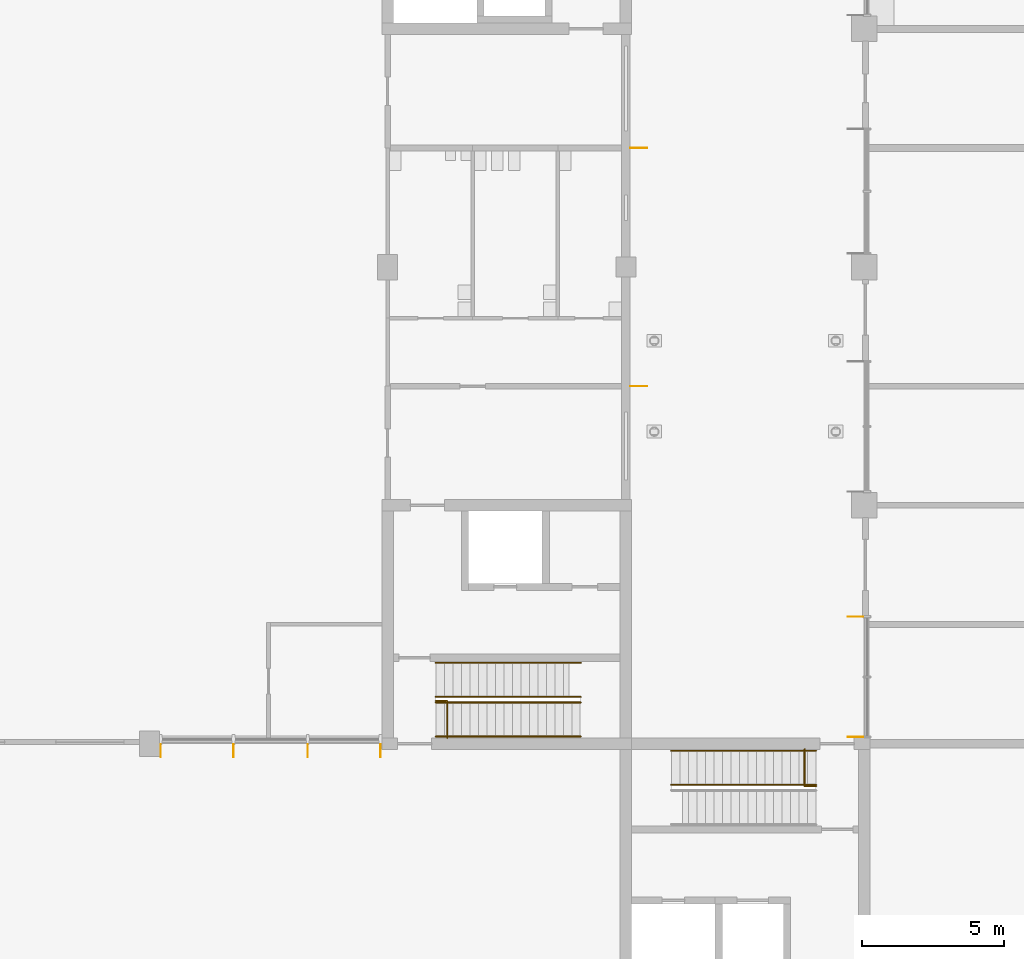
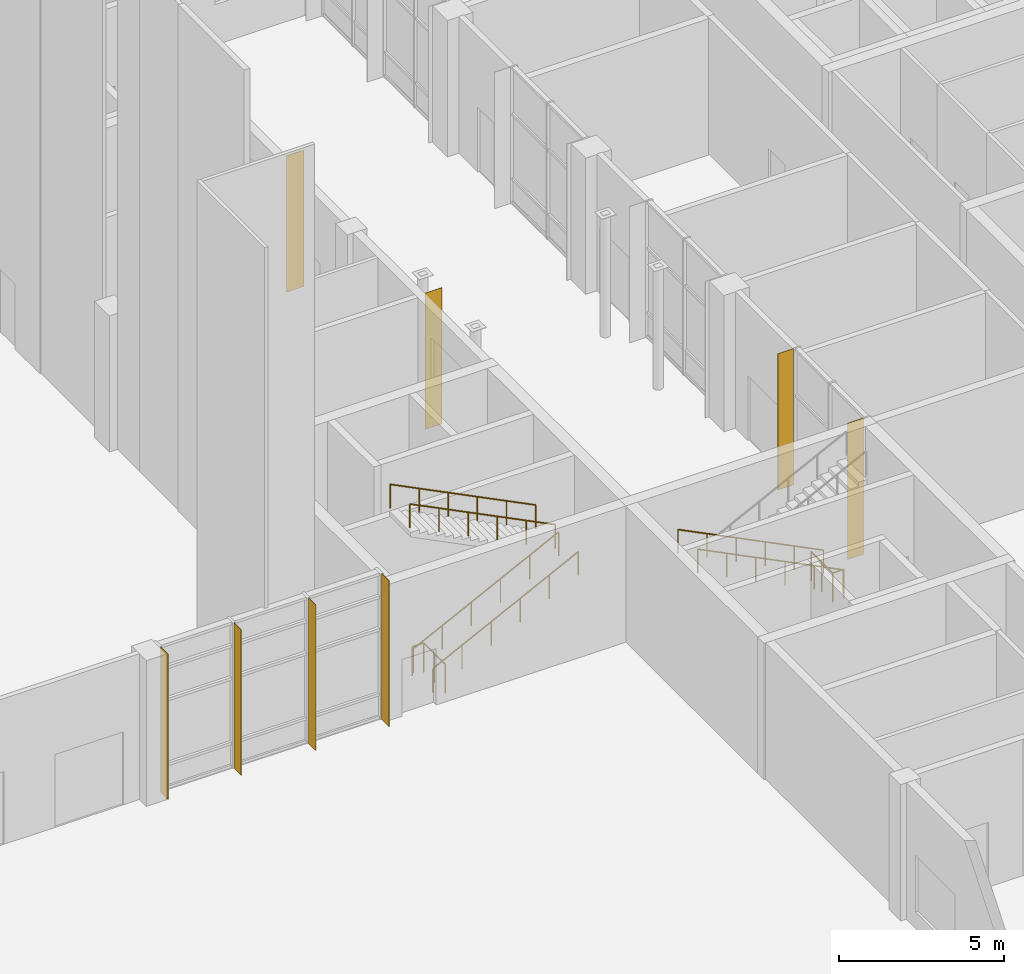
# One storey, part 64 of 76: 8 railings, 8 shading devices.
"""IFC4 building model written with IfcOpenShell, lengths in metres."""

from ifc_helpers import new_model, si_unit, direction, frame, origin, origin_2d, place, context, subcontext, project, spatial, rectangle, circle, extrude, material, layer, layer_set, type_object, element, save


model = new_model("IFC4")

# Units and contexts
model_context = context("Model", 3, precision=1e-05, world=origin(), true_north=direction((0.0, 1.0)))
body_context = subcontext(model_context, "Body", "Model", "MODEL_VIEW")
ifc_project = project(units=[si_unit("LENGTHUNIT", "METRE"), si_unit("AREAUNIT", "SQUARE_METRE"), si_unit("VOLUMEUNIT", "CUBIC_METRE"), si_unit("PLANEANGLEUNIT", "RADIAN"), si_unit("MASSUNIT", "GRAM", prefix="KILO")], contexts=[model_context])

# Site, building, storey
site_placement = place(None, origin())
site = spatial("IfcSite", under=ifc_project, at=site_placement, CompositionType="ELEMENT")
building_placement = place(site_placement, origin())
building = spatial("IfcBuilding", under=site, at=building_placement, Name="Hlaing Beacon Police Headquarters", CompositionType="ELEMENT")
storey_placement = place(building_placement, origin())
storey = spatial("IfcBuildingStorey", under=building, at=storey_placement, Name="L00", CompositionType="ELEMENT", Elevation=0.0)

# Shading devices
ifc_material_1 = material(Name="Aluminium 6063-T5 anodised", Category="aluminium")
ifc_layer_1 = layer(ifc_material_1, 0.011962890625)
ifc_layer_set_1 = layer_set([ifc_layer_1], Name="Aluminium 6063-T5 anodised")
shading_device_type_1 = type_object("IfcShadingDeviceType", Name="Aluminium fin 12x450", PredefinedType="JALOUSIE", material=ifc_layer_set_1)
for number, where, z_axis, x_axis, name in (
    (1, (76.0, 33.35009765625, 0.0), (0.0, 0.0, 1.0), (1.0, 0.0, 0.0), "Fin L00 S022.0"),
    (2, (78.566650390625, 33.35009765625, 0.0), (0.0, 0.0, 1.0), (1.0, 0.0, 0.0), "Fin L00 S022.1"),
    (3, (81.183349609375, 33.35009765625, 0.0), (0.0, 0.0, 1.0), (1.0, 0.0, 0.0), "Fin L00 S022.2"),
    (4, (83.75, 33.35009765625, 0.0), (0.0, 0.0, 1.0), (1.0, 0.0, 0.0), "Fin L00 S022.3"),
):
    element("IfcShadingDevice", number, at=place(storey_placement, frame(where, z_axis=z_axis, x_axis=x_axis)), inside=storey, type_object=shading_device_type_1, Name=name, PredefinedType="JALOUSIE", context=body_context, shape_type="SweptSolid", body=[
        extrude(rectangle(XDim=0.011962890625, YDim=0.449951171875, at=origin_2d()), origin(), (0.0, 0.0, 1.0), 5.39990234375),
    ])
ifc_material_2 = material(Name="Aluminium 6063-T5 anodised", Category="aluminium")
ifc_layer_2 = layer(ifc_material_2, 0.011962890625)
ifc_layer_set_2 = layer_set([ifc_layer_2], Name="Aluminium 6063-T5 anodised")
shading_device_type_2 = type_object("IfcShadingDeviceType", Name="Aluminium fin 12x550", PredefinedType="JALOUSIE", material=ifc_layer_set_2)
for number, where, z_axis, x_axis, name in (
    (5, (100.5, 38.070068359375, 0.0), (0.0, 0.0, 1.0), (0.0, -1.0, 0.0), "Fin L00 W019.0"),
    (6, (100.5, 33.830078125, 0.0), (0.0, 0.0, 1.0), (0.0, -1.0, 0.0), "Fin L00 W019.2"),
):
    element("IfcShadingDevice", number, at=place(storey_placement, frame(where, z_axis=z_axis, x_axis=x_axis)), inside=storey, type_object=shading_device_type_2, Name=name, PredefinedType="JALOUSIE", context=body_context, shape_type="SweptSolid", body=[
        extrude(rectangle(XDim=0.011962890625, YDim=0.550048828125, at=origin_2d()), origin(), (0.0, 0.0, 1.0), 5.050048828125),
    ])
ifc_material_3 = material(Name="Aluminium 6063-T5 anodised", Category="aluminium")
ifc_layer_3 = layer(ifc_material_3, 0.011962890625)
ifc_layer_set_3 = layer_set([ifc_layer_3], Name="Aluminium 6063-T5 anodised")
shading_device_type_3 = type_object("IfcShadingDeviceType", Name="Aluminium fin 12x600", PredefinedType="JALOUSIE", material=ifc_layer_set_3)
for number, where, z_axis, x_axis, name in (
    (7, (92.85009765625, 46.199951171875, 0.0), (0.0, 0.0, 1.0), (0.0, 1.0, 0.0), "Fin L00 E008"),
    (8, (92.85009765625, 54.60009765625, 0.0), (0.0, 0.0, 1.0), (0.0, 1.0, 0.0), "Fin L00 E009"),
):
    element("IfcShadingDevice", number, at=place(storey_placement, frame(where, z_axis=z_axis, x_axis=x_axis)), inside=storey, type_object=shading_device_type_3, Name=name, PredefinedType="JALOUSIE", context=body_context, shape_type="SweptSolid", body=[
        extrude(rectangle(XDim=0.011962890625, YDim=0.60009765625, at=origin_2d()), origin(), (0.0, 0.0, 1.0), 5.050048828125),
    ])

# Railings
ifc_material_4 = material(Name="Stainless steel", Category="steel")
railing_type_1 = type_object("IfcRailingType", Name="Stair guard 1100", PredefinedType="GUARDRAIL", material=ifc_material_4)
railing_1_placement = place(storey_placement, frame((86.10009765625, 33.800048828125, 0.0)))
element("IfcRailing", 9, at=railing_1_placement, inside=storey, type_object=railing_type_1, Name="Guard ST-C", PredefinedType="GUARDRAIL", context=body_context, shape_type="SweptSolid", body=[
    extrude(circle(Radius=0.02392578125, at=origin_2d()), frame((0.0, 0.0, 1.076171875), z_axis=(0.0, 1.0, 0.0), x_axis=(-1.0, 0.0, 0.0)), (0.0, 0.0, 1.0), 1.300048828125),
    extrude(circle(Radius=0.02392578125, at=origin_2d()), frame((0.0, 1.300048828125, 1.076171875), z_axis=(-1.0, 0.0, 0.0), x_axis=(0.0, -1.0, 0.0)), (0.0, 0.0, 1.0), 0.400146484375),
    extrude(circle(Radius=0.02099609375, at=origin_2d()), origin(), (0.0, 0.0, 1.0), 1.052001953125),
    extrude(circle(Radius=0.02099609375, at=origin_2d()), frame((0.0, 0.64990234375, 0.0)), (0.0, 0.0, 1.0), 1.052001953125),
    extrude(circle(Radius=0.02099609375, at=origin_2d()), frame((0.0, 1.300048828125, 0.0)), (0.0, 0.0, 1.0), 1.052001953125),
    extrude(circle(Radius=0.02099609375, at=origin_2d()), frame((-0.400146484375, 1.300048828125, 0.0)), (0.0, 0.0, 1.0), 1.052001953125),
])
railing_2_placement = place(storey_placement, frame((98.699951171875, 33.39990234375, 0.0)))
element("IfcRailing", 10, at=railing_2_placement, inside=storey, type_object=railing_type_1, Name="Guard ST-G", PredefinedType="GUARDRAIL", context=body_context, shape_type="SweptSolid", body=[
    extrude(circle(Radius=0.02392578125, at=origin_2d()), frame((0.0, 0.0, 1.076171875), z_axis=(0.0, -1.0, 0.0), x_axis=(1.0, 0.0, 0.0)), (0.0, 0.0, 1.0), 1.2998046875),
    extrude(circle(Radius=0.02392578125, at=origin_2d()), frame((0.0, -1.2998046875, 1.076171875), z_axis=(1.0, 0.0, 0.0), x_axis=(0.0, 1.0, 0.0)), (0.0, 0.0, 1.0), 0.400146484375),
    extrude(circle(Radius=0.02099609375, at=origin_2d()), origin(), (0.0, 0.0, 1.0), 1.052001953125),
    extrude(circle(Radius=0.02099609375, at=origin_2d()), frame((0.0, -0.64990234375, 0.0)), (0.0, 0.0, 1.0), 1.052001953125),
    extrude(circle(Radius=0.02099609375, at=origin_2d()), frame((0.0, -1.2998046875, 0.0)), (0.0, 0.0, 1.0), 1.052001953125),
    extrude(circle(Radius=0.02099609375, at=origin_2d()), frame((0.400146484375, -1.2998046875, 0.0)), (0.0, 0.0, 1.0), 1.052001953125),
])
ifc_material_5 = material(Name="Stainless steel", Category="steel")
railing_type_2 = type_object("IfcRailingType", Name="Stair handrail 900", PredefinedType="HANDRAIL", material=ifc_material_5)
for number, where, name in (
    (11, (85.699951171875, 33.85009765625, 0.14990234375), "Handrail ST-C"),
    (12, (85.699951171875, 35.050048828125, 0.14990234375), "Handrail ST-C"),
):
    element("IfcRailing", number, at=place(storey_placement, frame(where)), inside=storey, type_object=railing_type_2, Name=name, PredefinedType="HANDRAIL", context=body_context, shape_type="SweptSolid", body=[
        extrude(circle(Radius=0.02392578125, at=origin_2d()), frame((0.0, 0.0, 0.8759765625), z_axis=(0.894427191, 0.0, 0.4472135955), x_axis=(0.0, 1.0, 0.0)), (0.0, 0.0, 1.0), 5.7021484375),
        extrude(circle(Radius=0.02099609375, at=origin_2d()), origin(), (0.0, 0.0, 1.0), 0.851806640625),
        extrude(circle(Radius=0.02099609375, at=origin_2d()), frame((1.02001953125, 0.0, 0.510009765625)), (0.0, 0.0, 1.0), 0.851806640625),
        extrude(circle(Radius=0.02099609375, at=origin_2d()), frame((2.0400390625, 0.0, 1.02001953125)), (0.0, 0.0, 1.0), 0.851806640625),
        extrude(circle(Radius=0.02099609375, at=origin_2d()), frame((3.06005859375, 0.0, 1.530029296875)), (0.0, 0.0, 1.0), 0.851806640625),
        extrude(circle(Radius=0.02099609375, at=origin_2d()), frame((4.080078125, 0.0, 2.0400390625)), (0.0, 0.0, 1.0), 0.851806640625),
        extrude(circle(Radius=0.02099609375, at=origin_2d()), frame((5.10009765625, 0.0, 2.550048828125)), (0.0, 0.0, 1.0), 0.851806640625),
    ])
for number, where, name in (
    (13, (90.800048828125, 35.25, 2.85009765625), "Handrail ST-C"),
    (14, (90.800048828125, 36.449951171875, 2.85009765625), "Handrail ST-C"),
):
    element("IfcRailing", number, at=place(storey_placement, frame(where)), inside=storey, type_object=railing_type_2, Name=name, PredefinedType="HANDRAIL", context=body_context, shape_type="SweptSolid", body=[
        extrude(circle(Radius=0.02392578125, at=origin_2d()), frame((0.0, 0.0, 0.8759765625), z_axis=(-0.89444431709, 0.0, 0.44717934168), x_axis=(0.0, -1.0, 0.0)), (0.0, 0.0, 1.0), 5.701904296875),
        extrude(circle(Radius=0.02099609375, at=origin_2d()), origin(), (0.0, 0.0, 1.0), 0.851806640625),
        extrude(circle(Radius=0.02099609375, at=origin_2d()), frame((-1.02001953125, 0.0, 0.510009765625)), (0.0, 0.0, 1.0), 0.851806640625),
        extrude(circle(Radius=0.02099609375, at=origin_2d()), frame((-2.0400390625, 0.0, 1.02001953125)), (0.0, 0.0, 1.0), 0.851806640625),
        extrude(circle(Radius=0.02099609375, at=origin_2d()), frame((-3.06005859375, 0.0, 1.52978515625)), (0.0, 0.0, 1.0), 0.851806640625),
        extrude(circle(Radius=0.02099609375, at=origin_2d()), frame((-4.080078125, 0.0, 2.039794921875)), (0.0, 0.0, 1.0), 0.851806640625),
        extrude(circle(Radius=0.02099609375, at=origin_2d()), frame((-5.10009765625, 0.0, 2.5498046875)), (0.0, 0.0, 1.0), 0.851806640625),
    ])
for number, where, name in (
    (15, (99.10009765625, 33.35009765625, 0.14990234375), "Handrail ST-G"),
    (16, (99.10009765625, 32.14990234375, 0.14990234375), "Handrail ST-G"),
):
    element("IfcRailing", number, at=place(storey_placement, frame(where)), inside=storey, type_object=railing_type_2, Name=name, PredefinedType="HANDRAIL", context=body_context, shape_type="SweptSolid", body=[
        extrude(circle(Radius=0.02392578125, at=origin_2d()), frame((0.0, 0.0, 0.8759765625), z_axis=(-0.894427191, 0.0, 0.4472135955), x_axis=(0.0, -1.0, 0.0)), (0.0, 0.0, 1.0), 5.7021484375),
        extrude(circle(Radius=0.02099609375, at=origin_2d()), origin(), (0.0, 0.0, 1.0), 0.851806640625),
        extrude(circle(Radius=0.02099609375, at=origin_2d()), frame((-1.02001953125, 0.0, 0.510009765625)), (0.0, 0.0, 1.0), 0.851806640625),
        extrude(circle(Radius=0.02099609375, at=origin_2d()), frame((-2.0400390625, 0.0, 1.02001953125)), (0.0, 0.0, 1.0), 0.851806640625),
        extrude(circle(Radius=0.02099609375, at=origin_2d()), frame((-3.06005859375, 0.0, 1.530029296875)), (0.0, 0.0, 1.0), 0.851806640625),
        extrude(circle(Radius=0.02099609375, at=origin_2d()), frame((-4.080078125, 0.0, 2.0400390625)), (0.0, 0.0, 1.0), 0.851806640625),
        extrude(circle(Radius=0.02099609375, at=origin_2d()), frame((-5.10009765625, 0.0, 2.550048828125)), (0.0, 0.0, 1.0), 0.851806640625),
    ])

save(model, "model.ifc")
